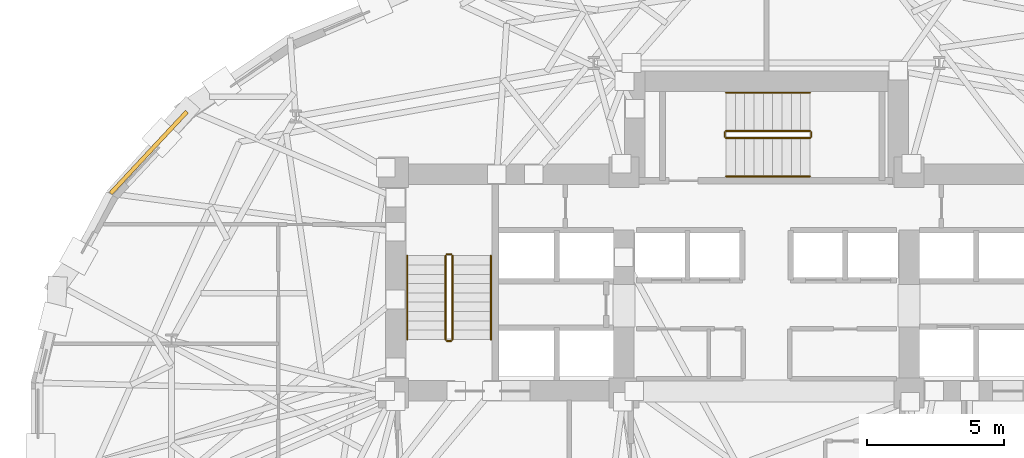
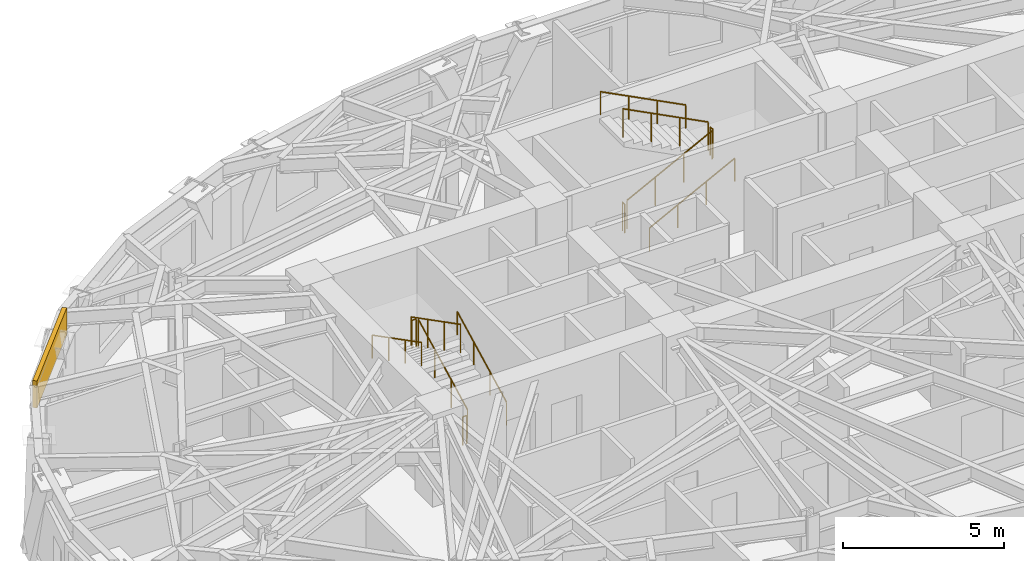
# One storey, part 13 of 15: 12 railings, 1 covering.
"""IFC4 building model written with IfcOpenShell, lengths in metres."""

from ifc_helpers import new_model, si_unit, direction, frame, origin, origin_2d, place, context, subcontext, project, spatial, rectangle, circle, extrude, material, layer, layer_set, type_object, element, save


model = new_model("IFC4")

# Units and contexts
model_context = context("Model", 3, precision=1e-05, world=origin(), true_north=direction((0.0, 1.0)))
body_context = subcontext(model_context, "Body", "Model", "MODEL_VIEW")
ifc_project = project(units=[si_unit("LENGTHUNIT", "METRE"), si_unit("AREAUNIT", "SQUARE_METRE"), si_unit("VOLUMEUNIT", "CUBIC_METRE"), si_unit("PLANEANGLEUNIT", "RADIAN"), si_unit("MASSUNIT", "GRAM", prefix="KILO")], contexts=[model_context])

# Site, building, storey
site_placement = place(None, origin())
site = spatial("IfcSite", under=ifc_project, at=site_placement, CompositionType="ELEMENT")
building_placement = place(site_placement, origin())
building = spatial("IfcBuilding", under=site, at=building_placement, Name="Keldmark Tower", CompositionType="ELEMENT")
storey_placement = place(building_placement, frame((0.0, 0.0, 114.10009765625)))
storey = spatial("IfcBuildingStorey", under=building, at=storey_placement, Name="L30", CompositionType="ELEMENT", Elevation=114.10009765625)

# Covering
ifc_material_1 = material(Name="Honed Kasota Buff Dolomitic Limestone", Category="masonry")
ifc_layer = layer(ifc_material_1, 0.074951171875)
ifc_layer_set = layer_set([ifc_layer], Name="Honed Kasota Buff Dolomitic Limestone")
covering_type = type_object("IfcCoveringType", Name="Kasota Buff Limestone Spandrel Cladding Band", PredefinedType="CLADDING", material=ifc_layer_set)
covering_placement = place(storey_placement, frame((-22.5234375, 10.169677734375, 2.45166015625), z_axis=(0.0, 0.0, 1.0), x_axis=(-0.682368444061, -0.731008417564, 0.0)))
element("IfcCovering", 1, at=covering_placement, inside=storey, type_object=covering_type, Name="L30 Kasota Limestone Spandrel Band 13", PredefinedType="CLADDING", context=body_context, shape_type="SweptSolid", body=[
    extrude(rectangle(XDim=4.07861328125, YDim=0.14990234375, at=origin_2d()), origin(), (0.0, 0.0, 1.0), 1.028076171875),
])

# Railings
ifc_material_2 = material(Name="Painted Steel ASTM A500 Grade B", Category="steel")
railing_type_1 = type_object("IfcRailingType", Name="Painted Steel Stair Well Guard 1100 mm", PredefinedType="GUARDRAIL", material=ifc_material_2)
railing_1_placement = place(storey_placement, frame((-11.449951171875, 3.35009765625, 0.1748046875)))
element("IfcRailing", 2, at=railing_1_placement, inside=storey, type_object=railing_type_1, Name="L30 ST1 stair guard 1", PredefinedType="GUARDRAIL", context=body_context, shape_type="SweptSolid", body=[
    extrude(circle(Radius=0.02392578125, at=origin_2d()), frame((0.0, 0.0, 1.076171875), z_axis=(0.0, 0.889101422983, 0.457710235465), x_axis=(-1.0, 0.0, 0.0)), (0.0, 0.0, 1.0), 3.44140625),
    extrude(circle(Radius=0.02099609375, at=origin_2d()), origin(), (0.0, 0.0, 1.0), 1.052001953125),
    extrude(circle(Radius=0.02099609375, at=origin_2d()), frame((0.0, 1.02001953125, 0.525146484375)), (0.0, 0.0, 1.0), 1.052001953125),
    extrude(circle(Radius=0.02099609375, at=origin_2d()), frame((0.0, 2.039794921875, 1.050048828125)), (0.0, 0.0, 1.0), 1.052001953125),
    extrude(circle(Radius=0.02099609375, at=origin_2d()), frame((0.0, 3.059814453125, 1.5751953125)), (0.0, 0.0, 1.0), 1.052001953125),
])
railing_2_placement = place(storey_placement, frame((-11.5, 6.4599609375, 1.75)))
element("IfcRailing", 3, at=railing_2_placement, inside=storey, type_object=railing_type_1, Name="L30 ST1 stair guard 2", PredefinedType="GUARDRAIL", context=body_context, shape_type="SweptSolid", body=[
    extrude(circle(Radius=0.02392578125, at=origin_2d()), frame((0.0, 0.0, 1.076171875), z_axis=(-1.0, 0.0, 0.0), x_axis=(0.0, -1.0, 0.0)), (0.0, 0.0, 1.0), 0.14990234375),
    extrude(circle(Radius=0.02099609375, at=origin_2d()), origin(), (0.0, 0.0, 1.0), 1.052001953125),
    extrude(circle(Radius=0.02099609375, at=origin_2d()), frame((-0.14990234375, 0.0, 0.0)), (0.0, 0.0, 1.0), 1.052001953125),
])
railing_3_placement = place(storey_placement, frame((-11.699951171875, 6.409912109375, 1.9248046875)))
element("IfcRailing", 4, at=railing_3_placement, inside=storey, type_object=railing_type_1, Name="L30 ST1 stair guard 3", PredefinedType="GUARDRAIL", context=body_context, shape_type="SweptSolid", body=[
    extrude(circle(Radius=0.02392578125, at=origin_2d()), frame((0.0, 0.0, 1.076171875), z_axis=(0.0, -0.889101422983, 0.457710235465), x_axis=(1.0, 0.0, 0.0)), (0.0, 0.0, 1.0), 3.44140625),
    extrude(circle(Radius=0.02099609375, at=origin_2d()), origin(), (0.0, 0.0, 1.0), 1.052001953125),
    extrude(circle(Radius=0.02099609375, at=origin_2d()), frame((0.0, -1.02001953125, 0.525146484375)), (0.0, 0.0, 1.0), 1.052001953125),
    extrude(circle(Radius=0.02099609375, at=origin_2d()), frame((0.0, -2.039794921875, 1.050048828125)), (0.0, 0.0, 1.0), 1.052001953125),
    extrude(circle(Radius=0.02099609375, at=origin_2d()), frame((0.0, -3.059814453125, 1.5751953125)), (0.0, 0.0, 1.0), 1.052001953125),
])
railing_4_placement = place(storey_placement, frame((-11.5, 3.300048828125, 0.0)))
element("IfcRailing", 5, at=railing_4_placement, inside=storey, type_object=railing_type_1, Name="L30 ST1 stair guard 4", PredefinedType="GUARDRAIL", context=body_context, shape_type="SweptSolid", body=[
    extrude(circle(Radius=0.02392578125, at=origin_2d()), frame((0.0, 0.0, 1.076171875), z_axis=(-1.0, 0.0, 0.0), x_axis=(0.0, -1.0, 0.0)), (0.0, 0.0, 1.0), 0.14990234375),
    extrude(circle(Radius=0.02099609375, at=origin_2d()), origin(), (0.0, 0.0, 1.0), 1.052001953125),
    extrude(circle(Radius=0.02099609375, at=origin_2d()), frame((-0.14990234375, 0.0, 0.0)), (0.0, 0.0, 1.0), 1.052001953125),
])
railing_5_placement = place(storey_placement, frame((-1.47509765625, 10.699951171875, 0.1748046875)))
element("IfcRailing", 6, at=railing_5_placement, inside=storey, type_object=railing_type_1, Name="L30 ST3 stair guard 1", PredefinedType="GUARDRAIL", context=body_context, shape_type="SweptSolid", body=[
    extrude(circle(Radius=0.02392578125, at=origin_2d()), frame((0.0, 0.0, 1.076171875), z_axis=(0.889116283586, 0.0, 0.457681367616), x_axis=(0.0, 1.0, 0.0)), (0.0, 0.0, 1.0), 3.441650390625),
    extrude(circle(Radius=0.02099609375, at=origin_2d()), origin(), (0.0, 0.0, 1.0), 1.052001953125),
    extrude(circle(Radius=0.02099609375, at=origin_2d()), frame((1.02001953125, 0.0, 0.525146484375)), (0.0, 0.0, 1.0), 1.052001953125),
    extrude(circle(Radius=0.02099609375, at=origin_2d()), frame((2.0400390625, 0.0, 1.050048828125)), (0.0, 0.0, 1.0), 1.052001953125),
    extrude(circle(Radius=0.02099609375, at=origin_2d()), frame((3.06005859375, 0.0, 1.5751953125)), (0.0, 0.0, 1.0), 1.052001953125),
])
railing_6_placement = place(storey_placement, frame((1.635009765625, 10.75, 1.75)))
element("IfcRailing", 7, at=railing_6_placement, inside=storey, type_object=railing_type_1, Name="L30 ST3 stair guard 2", PredefinedType="GUARDRAIL", context=body_context, shape_type="SweptSolid", body=[
    extrude(circle(Radius=0.02392578125, at=origin_2d()), frame((0.0, 0.0, 1.076171875), z_axis=(0.0, 1.0, 0.0), x_axis=(-1.0, 0.0, 0.0)), (0.0, 0.0, 1.0), 0.14990234375),
    extrude(circle(Radius=0.02099609375, at=origin_2d()), origin(), (0.0, 0.0, 1.0), 1.052001953125),
    extrude(circle(Radius=0.02099609375, at=origin_2d()), frame((0.0, 0.14990234375, 0.0)), (0.0, 0.0, 1.0), 1.052001953125),
])
railing_7_placement = place(storey_placement, frame((1.5849609375, 10.949951171875, 1.9248046875)))
element("IfcRailing", 8, at=railing_7_placement, inside=storey, type_object=railing_type_1, Name="L30 ST3 stair guard 3", PredefinedType="GUARDRAIL", context=body_context, shape_type="SweptSolid", body=[
    extrude(circle(Radius=0.02392578125, at=origin_2d()), frame((0.0, 0.0, 1.076171875), z_axis=(-0.889116283586, 0.0, 0.457681367616), x_axis=(0.0, -1.0, 0.0)), (0.0, 0.0, 1.0), 3.441650390625),
    extrude(circle(Radius=0.02099609375, at=origin_2d()), origin(), (0.0, 0.0, 1.0), 1.052001953125),
    extrude(circle(Radius=0.02099609375, at=origin_2d()), frame((-1.02001953125, 0.0, 0.525146484375)), (0.0, 0.0, 1.0), 1.052001953125),
    extrude(circle(Radius=0.02099609375, at=origin_2d()), frame((-2.0400390625, 0.0, 1.050048828125)), (0.0, 0.0, 1.0), 1.052001953125),
    extrude(circle(Radius=0.02099609375, at=origin_2d()), frame((-3.06005859375, 0.0, 1.5751953125)), (0.0, 0.0, 1.0), 1.052001953125),
])
railing_8_placement = place(storey_placement, frame((-1.52490234375, 10.75, 0.0)))
element("IfcRailing", 9, at=railing_8_placement, inside=storey, type_object=railing_type_1, Name="L30 ST3 stair guard 4", PredefinedType="GUARDRAIL", context=body_context, shape_type="SweptSolid", body=[
    extrude(circle(Radius=0.02392578125, at=origin_2d()), frame((0.0, 0.0, 1.076171875), z_axis=(0.0, 1.0, 0.0), x_axis=(-1.0, 0.0, 0.0)), (0.0, 0.0, 1.0), 0.14990234375),
    extrude(circle(Radius=0.02099609375, at=origin_2d()), origin(), (0.0, 0.0, 1.0), 1.052001953125),
    extrude(circle(Radius=0.02099609375, at=origin_2d()), frame((0.0, 0.14990234375, 0.0)), (0.0, 0.0, 1.0), 1.052001953125),
])
ifc_material_3 = material(Name="Stainless Steel AISI 316L", Category="steel")
railing_type_2 = type_object("IfcRailingType", Name="Stainless Steel Stair Handrail 900 mm", PredefinedType="HANDRAIL", material=ifc_material_3)
railing_9_placement = place(storey_placement, frame((-10.050048828125, 3.35009765625, 0.1748046875)))
element("IfcRailing", 10, at=railing_9_placement, inside=storey, type_object=railing_type_2, Name="L30 ST1 stair handrail 1", PredefinedType="HANDRAIL", context=body_context, shape_type="SweptSolid", body=[
    extrude(circle(Radius=0.02392578125, at=origin_2d()), frame((0.0, 0.0, 0.8759765625), z_axis=(0.0, 0.889101422983, 0.457710235465), x_axis=(-1.0, 0.0, 0.0)), (0.0, 0.0, 1.0), 3.44140625),
    extrude(circle(Radius=0.02099609375, at=origin_2d()), origin(), (0.0, 0.0, 1.0), 0.851806640625),
    extrude(circle(Radius=0.02099609375, at=origin_2d()), frame((0.0, 1.02001953125, 0.525146484375)), (0.0, 0.0, 1.0), 0.851806640625),
    extrude(circle(Radius=0.02099609375, at=origin_2d()), frame((0.0, 2.039794921875, 1.050048828125)), (0.0, 0.0, 1.0), 0.851806640625),
    extrude(circle(Radius=0.02099609375, at=origin_2d()), frame((0.0, 3.059814453125, 1.5751953125)), (0.0, 0.0, 1.0), 0.851806640625),
])
railing_10_placement = place(storey_placement, frame((-13.10009765625, 6.409912109375, 1.9248046875)))
element("IfcRailing", 11, at=railing_10_placement, inside=storey, type_object=railing_type_2, Name="L30 ST1 stair handrail 2", PredefinedType="HANDRAIL", context=body_context, shape_type="SweptSolid", body=[
    extrude(circle(Radius=0.02392578125, at=origin_2d()), frame((0.0, 0.0, 0.8759765625), z_axis=(0.0, -0.889101422983, 0.457710235465), x_axis=(1.0, 0.0, 0.0)), (0.0, 0.0, 1.0), 3.44140625),
    extrude(circle(Radius=0.02099609375, at=origin_2d()), origin(), (0.0, 0.0, 1.0), 0.851806640625),
    extrude(circle(Radius=0.02099609375, at=origin_2d()), frame((0.0, -1.02001953125, 0.525146484375)), (0.0, 0.0, 1.0), 0.851806640625),
    extrude(circle(Radius=0.02099609375, at=origin_2d()), frame((0.0, -2.039794921875, 1.050048828125)), (0.0, 0.0, 1.0), 0.851806640625),
    extrude(circle(Radius=0.02099609375, at=origin_2d()), frame((0.0, -3.059814453125, 1.5751953125)), (0.0, 0.0, 1.0), 0.851806640625),
])
railing_11_placement = place(storey_placement, frame((-1.47509765625, 9.300048828125, 0.1748046875)))
element("IfcRailing", 12, at=railing_11_placement, inside=storey, type_object=railing_type_2, Name="L30 ST3 stair handrail 1", PredefinedType="HANDRAIL", context=body_context, shape_type="SweptSolid", body=[
    extrude(circle(Radius=0.02392578125, at=origin_2d()), frame((0.0, 0.0, 0.8759765625), z_axis=(0.889116283586, 0.0, 0.457681367616), x_axis=(0.0, 1.0, 0.0)), (0.0, 0.0, 1.0), 3.441650390625),
    extrude(circle(Radius=0.02099609375, at=origin_2d()), origin(), (0.0, 0.0, 1.0), 0.851806640625),
    extrude(circle(Radius=0.02099609375, at=origin_2d()), frame((1.02001953125, 0.0, 0.525146484375)), (0.0, 0.0, 1.0), 0.851806640625),
    extrude(circle(Radius=0.02099609375, at=origin_2d()), frame((2.0400390625, 0.0, 1.050048828125)), (0.0, 0.0, 1.0), 0.851806640625),
    extrude(circle(Radius=0.02099609375, at=origin_2d()), frame((3.06005859375, 0.0, 1.5751953125)), (0.0, 0.0, 1.0), 0.851806640625),
])
railing_12_placement = place(storey_placement, frame((1.5849609375, 12.35009765625, 1.9248046875)))
element("IfcRailing", 13, at=railing_12_placement, inside=storey, type_object=railing_type_2, Name="L30 ST3 stair handrail 2", PredefinedType="HANDRAIL", context=body_context, shape_type="SweptSolid", body=[
    extrude(circle(Radius=0.02392578125, at=origin_2d()), frame((0.0, 0.0, 0.8759765625), z_axis=(-0.889116283586, 0.0, 0.457681367616), x_axis=(0.0, -1.0, 0.0)), (0.0, 0.0, 1.0), 3.441650390625),
    extrude(circle(Radius=0.02099609375, at=origin_2d()), origin(), (0.0, 0.0, 1.0), 0.851806640625),
    extrude(circle(Radius=0.02099609375, at=origin_2d()), frame((-1.02001953125, 0.0, 0.525146484375)), (0.0, 0.0, 1.0), 0.851806640625),
    extrude(circle(Radius=0.02099609375, at=origin_2d()), frame((-2.0400390625, 0.0, 1.050048828125)), (0.0, 0.0, 1.0), 0.851806640625),
    extrude(circle(Radius=0.02099609375, at=origin_2d()), frame((-3.06005859375, 0.0, 1.5751953125)), (0.0, 0.0, 1.0), 0.851806640625),
])

save(model, "model.ifc")
